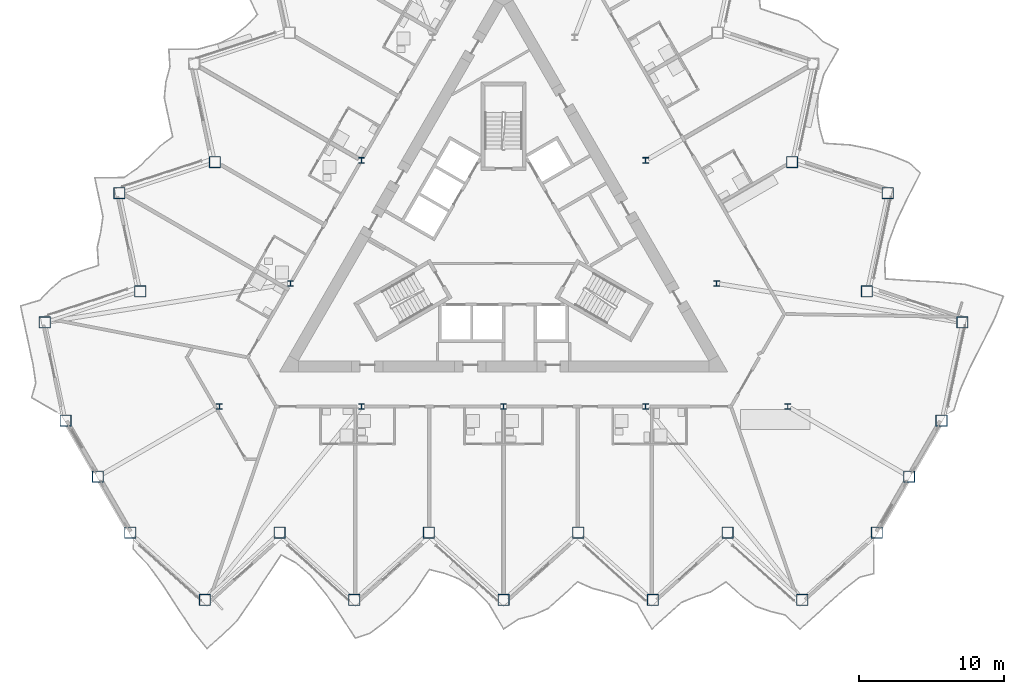
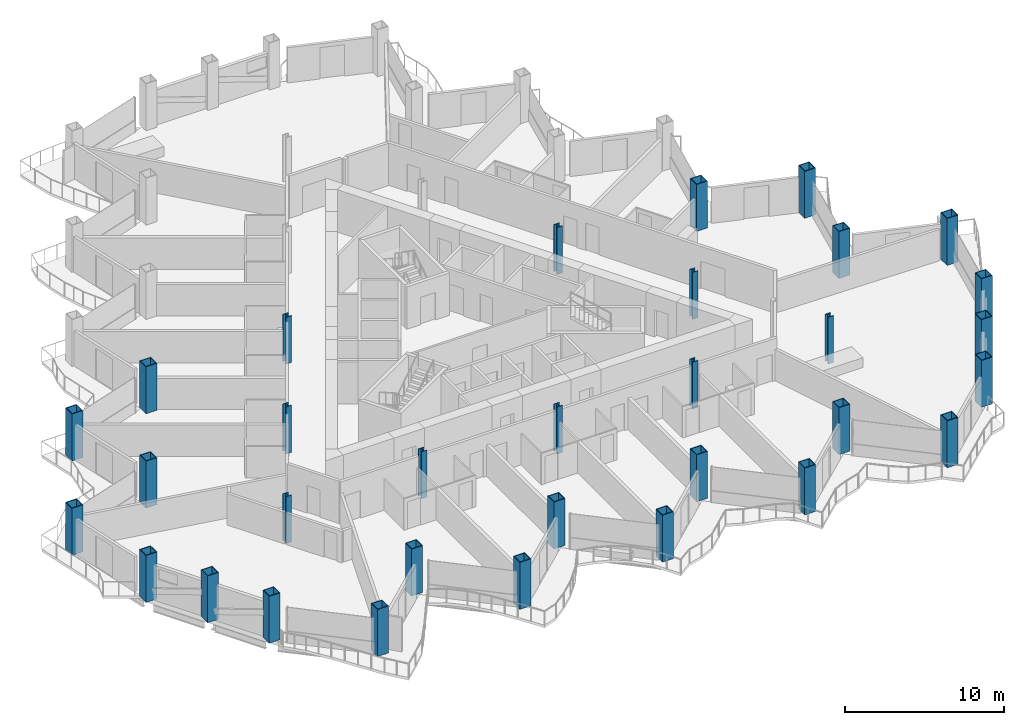
# One storey, part 1 of 23: 32 columns.
"""IFC4 building model written with IfcOpenShell, lengths in metres."""

from ifc_helpers import new_model, si_unit, direction, frame, origin, origin_2d, place, context, subcontext, project, spatial, hollow_rectangle, i_section, extrude, material, material_profile, profile_set, type_object, element, save


model = new_model("IFC4")

# Units and contexts
model_context = context("Model", 3, precision=1e-05, world=origin(), true_north=direction((0.0, 1.0)))
body_context = subcontext(model_context, "Body", "Model", "MODEL_VIEW")
ifc_project = project(units=[si_unit("LENGTHUNIT", "METRE"), si_unit("AREAUNIT", "SQUARE_METRE"), si_unit("VOLUMEUNIT", "CUBIC_METRE"), si_unit("PLANEANGLEUNIT", "RADIAN"), si_unit("MASSUNIT", "GRAM", prefix="KILO")], contexts=[model_context])

# Site, building, storey
site_placement = place(None, origin())
site = spatial("IfcSite", under=ifc_project, at=site_placement, CompositionType="ELEMENT")
building_placement = place(site_placement, origin())
building = spatial("IfcBuilding", under=site, at=building_placement, Name="Cormorant Prow Tower", CompositionType="ELEMENT")
storey_placement = place(building_placement, frame((0.0, 0.0, 183.60009765625)))
storey = spatial("IfcBuildingStorey", under=building, at=storey_placement, Name="L39", CompositionType="ELEMENT", Elevation=183.60009765625)

# Columns
ifc_material_1 = material(Name="Structural steel ASTM A572 Gr 50", Category="steel")
ifc_material_profile_1 = material_profile(ifc_material_1, hollow_rectangle(XDim=0.800048828125, YDim=0.800048828125, WallThickness=0.050048828125, at=origin_2d()), Name="Box 800x800x50")
ifc_profile_set_1 = profile_set([ifc_material_profile_1], Name="Structural steel ASTM A572 Gr 50")
column_type_1 = type_object("IfcColumnType", Name="Perimeter box column 800x800x50", PredefinedType="COLUMN", material=ifc_profile_set_1)
for number, where, z_axis, x_axis, name in (
    (1, (-25.823486328125, -20.0712890625, 0.0), (0.0, 0.0, 1.0), (1.0, 0.0, 0.0), "Perimeter column C4 at S00 L39"),
    (2, (-20.658935546875, -24.7216796875, 0.0), (0.0, 0.0, 1.0), (1.0, 0.0, 0.0), "Perimeter column C4 at S01 L39"),
    (3, (-15.494140625, -20.0712890625, 0.0), (0.0, 0.0, 1.0), (1.0, 0.0, 0.0), "Perimeter column C4 at S02 L39"),
    (4, (-10.329345703125, -24.7216796875, 0.0), (0.0, 0.0, 1.0), (1.0, 0.0, 0.0), "Perimeter column C4 at S03 L39"),
    (5, (-5.164794921875, -20.0712890625, 0.0), (0.0, 0.0, 1.0), (1.0, 0.0, 0.0), "Perimeter column C4 at S04 L39"),
    (6, (0.0, -24.7216796875, 0.0), (0.0, 0.0, 1.0), (1.0, 0.0, 0.0), "Perimeter column C4 at S05 L39"),
    (7, (5.164794921875, -20.0712890625, 0.0), (0.0, 0.0, 1.0), (1.0, 0.0, 0.0), "Perimeter column C4 at S06 L39"),
    (8, (10.329345703125, -24.7216796875, 0.0), (0.0, 0.0, 1.0), (1.0, 0.0, 0.0), "Perimeter column C4 at S07 L39"),
    (9, (15.494140625, -20.0712890625, 0.0), (0.0, 0.0, 1.0), (1.0, 0.0, 0.0), "Perimeter column C4 at S08 L39"),
    (10, (20.658935546875, -24.7216796875, 0.0), (0.0, 0.0, 1.0), (1.0, 0.0, 0.0), "Perimeter column C4 at S09 L39"),
    (11, (25.823486328125, -20.0712890625, 0.0), (0.0, 0.0, 1.0), (1.0, 0.0, 0.0), "Perimeter column C4 at ESE00 L39"),
    (12, (28.058837890625, -16.19970703125, 0.0), (0.0, 0.0, 1.0), (1.0, 0.0, 0.0), "Perimeter column C4 at ESE01 L39"),
    (13, (30.2939453125, -12.328369140625, 0.0), (0.0, 0.0, 1.0), (1.0, 0.0, 0.0), "Perimeter column C4 at ENE00 L39"),
    (14, (31.739013671875, -5.5302734375, 0.0), (0.0, 0.0, 1.0), (1.0, 0.0, 0.0), "Perimeter column C4 at ENE01 L39"),
    (15, (25.12939453125, -3.3828125, 0.0), (0.0, 0.0, 1.0), (1.0, 0.0, 0.0), "Perimeter column C4 at ENE02 L39"),
    (16, (26.57421875, 3.415283203125, 0.0), (0.0, 0.0, 1.0), (1.0, 0.0, 0.0), "Perimeter column C4 at ENE03 L39"),
    (17, (19.964599609375, 5.562744140625, 0.0), (0.0, 0.0, 1.0), (1.0, 0.0, 0.0), "Perimeter column C4 at ENE04 L39"),
    (18, (-19.964599609375, 5.562744140625, 0.0), (0.0, 0.0, 1.0), (1.0, 0.0, 0.0), "Perimeter column C4 at WNW06 L39"),
    (19, (-26.57421875, 3.415283203125, 0.0), (0.0, 0.0, 1.0), (1.0, 0.0, 0.0), "Perimeter column C4 at WNW07 L39"),
    (20, (-25.12939453125, -3.3828125, 0.0), (0.0, 0.0, 1.0), (1.0, 0.0, 0.0), "Perimeter column C4 at WNW08 L39"),
    (21, (-31.739013671875, -5.5302734375, 0.0), (0.0, 0.0, 1.0), (1.0, 0.0, 0.0), "Perimeter column C4 at WNW09 L39"),
    (22, (-30.2939453125, -12.328369140625, 0.0), (0.0, 0.0, 1.0), (1.0, 0.0, 0.0), "Perimeter column C4 at WSW00 L39"),
    (23, (-28.058837890625, -16.19970703125, 0.0), (0.0, 0.0, 1.0), (1.0, 0.0, 0.0), "Perimeter column C4 at WSW01 L39"),
):
    element("IfcColumn", number, at=place(storey_placement, frame(where, z_axis=z_axis, x_axis=x_axis)), inside=storey, type_object=column_type_1, Name=name, PredefinedType="COLUMN", context=body_context, shape_type="SweptSolid", body=[
        extrude(hollow_rectangle(XDim=0.800048828125, YDim=0.800048828125, WallThickness=0.050048828125, at=origin_2d()), origin(), (0.0, 0.0, 1.0), 3.599853515625),
    ])
ifc_material_2 = material(Name="Structural steel ASTM A992 Gr 50", Category="steel")
ifc_material_profile_2 = material_profile(ifc_material_2, i_section(OverallWidth=0.403564453125, OverallDepth=0.407470703125, WebThickness=0.027099609375, FlangeThickness=0.043701171875, at=origin_2d()), Name="W14x233")
ifc_profile_set_2 = profile_set([ifc_material_profile_2], Name="Structural steel ASTM A992 Gr 50")
column_type_2 = type_object("IfcColumnType", Name="Ring column W14x233", PredefinedType="COLUMN", material=ifc_profile_set_2)
for number, where, z_axis, x_axis, name in (
    (24, (-9.828369140625, 5.674560546875, 0.0), (0.0, 0.0, 1.0), (1.0, 0.0, 0.0), "Ring column 3 L39"),
    (25, (-14.74267578125, -2.837158203125, 0.0), (0.0, 0.0, 1.0), (1.0, 0.0, 0.0), "Ring column 4 L39"),
    (26, (-19.656982421875, -11.348876953125, 0.0), (0.0, 0.0, 1.0), (1.0, 0.0, 0.0), "Ring column 5 L39"),
    (27, (-9.828369140625, -11.348876953125, 0.0), (0.0, 0.0, 1.0), (1.0, 0.0, 0.0), "Ring column 6 L39"),
    (28, (0.0, -11.348876953125, 0.0), (0.0, 0.0, 1.0), (1.0, 0.0, 0.0), "Ring column 7 L39"),
    (29, (9.828369140625, -11.348876953125, 0.0), (0.0, 0.0, 1.0), (1.0, 0.0, 0.0), "Ring column 8 L39"),
    (30, (19.656982421875, -11.348876953125, 0.0), (0.0, 0.0, 1.0), (1.0, 0.0, 0.0), "Ring column 9 L39"),
    (31, (14.74267578125, -2.837158203125, 0.0), (0.0, 0.0, 1.0), (1.0, 0.0, 0.0), "Ring column 10 L39"),
    (32, (9.828369140625, 5.674560546875, 0.0), (0.0, 0.0, 1.0), (1.0, 0.0, 0.0), "Ring column 11 L39"),
):
    element("IfcColumn", number, at=place(storey_placement, frame(where, z_axis=z_axis, x_axis=x_axis)), inside=storey, type_object=column_type_2, Name=name, PredefinedType="COLUMN", context=body_context, shape_type="SweptSolid", body=[
        extrude(i_section(OverallWidth=0.403564453125, OverallDepth=0.407470703125, WebThickness=0.027099609375, FlangeThickness=0.043701171875, at=origin_2d()), origin(), (0.0, 0.0, 1.0), 3.599853515625),
    ])

save(model, "model.ifc")
